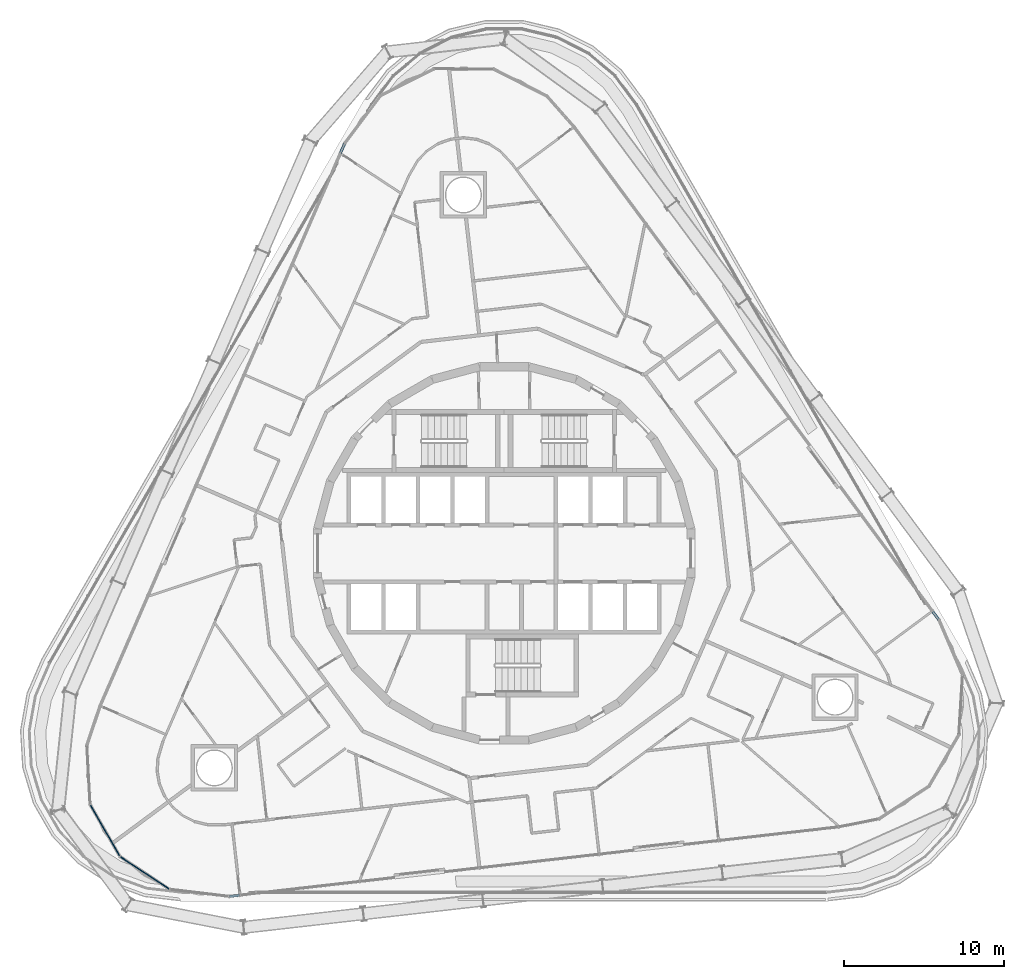
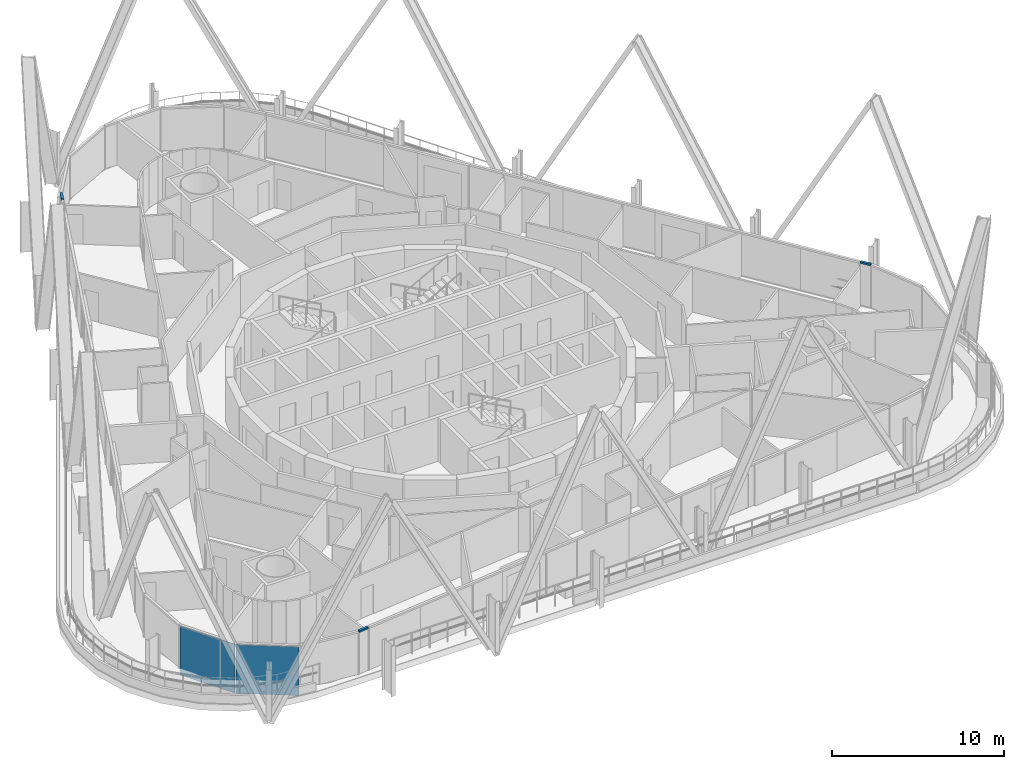
# One storey, part 12 of 32: 3 members, 2 plates, 3 elements without a shape of their own.
"""IFC4 building model written with IfcOpenShell, lengths in metres."""

from ifc_helpers import new_model, si_unit, direction, frame, origin, origin_2d, place, context, subcontext, project, spatial, rectangle, extrude, material, layer, layer_set, material_profile, profile_set, type_object, element, aggregate, save


model = new_model("IFC4")

# Units and contexts
model_context = context("Model", 3, precision=1e-05, world=origin(), true_north=direction((0.0, 1.0)))
body_context = subcontext(model_context, "Body", "Model", "MODEL_VIEW")
ifc_project = project(units=[si_unit("LENGTHUNIT", "METRE"), si_unit("AREAUNIT", "SQUARE_METRE"), si_unit("VOLUMEUNIT", "CUBIC_METRE"), si_unit("PLANEANGLEUNIT", "RADIAN"), si_unit("MASSUNIT", "GRAM", prefix="KILO")], contexts=[model_context])

# Site, building, storey
site_placement = place(None, origin())
site = spatial("IfcSite", under=ifc_project, at=site_placement, CompositionType="ELEMENT")
building_placement = place(site_placement, origin())
building = spatial("IfcBuilding", under=site, at=building_placement, Name="Spindle Arch Residences", CompositionType="ELEMENT")
storey_placement = place(building_placement, frame((0.0, 0.0, 76.699951171875)))
storey = spatial("IfcBuildingStorey", under=building, at=storey_placement, Name="L17", CompositionType="ELEMENT", Elevation=76.699951171875)

# Curtain wall, member
ifc_material_1 = material(Name="Aluminium bronze unitised frame with tinted glass", Category="aluminium")
ifc_layer_1 = layer(ifc_material_1, 0.159912109375)
ifc_layer_set_1 = layer_set([ifc_layer_1], Name="CW-D corner wall on the fillet arcs")
curtain_wall_type = type_object("IfcCurtainWallType", Name="CW-D corner wall on the fillet arcs", PredefinedType="NOTDEFINED", material=ifc_layer_set_1)
curtain_wall_1_placement = place(storey_placement, origin())
curtain_wall_1 = element("IfcCurtainWall", 1, at=curtain_wall_1_placement, inside=storey, type_object=curtain_wall_type, Name="CW-D L17 run 1", PredefinedType="NOTDEFINED")
ifc_material_2 = material(Name="Aluminium bronze anodised transom", Category="aluminium")
ifc_material_profile = material_profile(ifc_material_2, rectangle(XDim=0.159912109375, YDim=0.1201171875, at=origin_2d()), Name="TR 120x160")
ifc_profile_set = profile_set([ifc_material_profile], Name="Aluminium bronze anodised transom")
member_type = type_object("IfcMemberType", Name="Bronze transom 120x160", PredefinedType="USERDEFINED", material=ifc_profile_set)
member_1_placement = place(storey_placement, frame((27.125, -4.1474609375, 3.06005859375), z_axis=(-0.594872516249, 0.803820060344, 0.0), x_axis=(-0.803820060344, -0.594872516249, 0.0)))
member_1 = element("IfcMember", 2, at=member_1_placement, type_object=member_type, Name="CW-D transom 05", ObjectType="TRANSOM", PredefinedType="USERDEFINED", context=body_context, shape_type="SweptSolid", body=[
    extrude(rectangle(XDim=0.159912109375, YDim=0.1201171875, at=origin_2d()), origin(), (0.0, 0.0, 1.0), 0.641357421875),
])
aggregate(curtain_wall_1, [member_1])

curtain_wall_2_placement = place(storey_placement, origin())
curtain_wall_2 = element("IfcCurtainWall", 3, at=curtain_wall_2_placement, inside=storey, type_object=curtain_wall_type, Name="CW-D L17 run 3", PredefinedType="NOTDEFINED")
member_2_placement = place(storey_placement, frame((-9.970703125, 25.564697265625, 3.06005859375), z_axis=(-0.398461689222, -0.917184977102, 0.0), x_axis=(0.917184977102, -0.398461689222, 0.0)))
member_2 = element("IfcMember", 4, at=member_2_placement, type_object=member_type, Name="CW-D transom 05", ObjectType="TRANSOM", PredefinedType="USERDEFINED", context=body_context, shape_type="SweptSolid", body=[
    extrude(rectangle(XDim=0.159912109375, YDim=0.1201171875, at=origin_2d()), origin(), (0.0, 0.0, 1.0), 0.6416015625),
])
aggregate(curtain_wall_2, [member_2])

# Curtain wall, member, plates
curtain_wall_3_placement = place(storey_placement, origin())
curtain_wall_3 = element("IfcCurtainWall", 5, at=curtain_wall_3_placement, inside=storey, type_object=curtain_wall_type, Name="CW-D L17 run 5", PredefinedType="NOTDEFINED")
member_3_placement = place(storey_placement, frame((-17.154296875, -21.417236328125, 3.06005859375), z_axis=(0.993549832432, 0.113396342422, 0.0), x_axis=(-0.113396342422, 0.993549832432, 0.0)))
member_3 = element("IfcMember", 6, at=member_3_placement, type_object=member_type, Name="CW-D transom 05", ObjectType="TRANSOM", PredefinedType="USERDEFINED", context=body_context, shape_type="SweptSolid", body=[
    extrude(rectangle(XDim=0.159912109375, YDim=0.1201171875, at=origin_2d()), origin(), (0.0, 0.0, 1.0), 0.6416015625),
])
ifc_material_3 = material(Name="Tinted double glazing over aluminium faced non-combustible spandrel zone (K0)", Category="aluminium")
ifc_layer_2 = layer(ifc_material_3, 0.06005859375)
ifc_layer_set_2 = layer_set([ifc_layer_2], Name="Unitised glass panel with E 60 spandrel zone")
plate_type = type_object("IfcPlateType", Name="Unitised glass panel with E 60 spandrel zone", PredefinedType="CURTAIN_PANEL", material=ifc_layer_set_2)
plate_1_placement = place(storey_placement, frame((-24.919189453125, -17.3037109375, -0.44970703125), z_axis=(0.0, 0.0, 1.0), x_axis=(0.497478721595, -0.867476179247, 0.0)))
plate_1 = element("IfcPlate", 7, at=plate_1_placement, type_object=plate_type, Name="CW-D unit 02", PredefinedType="CURTAIN_PANEL", context=body_context, shape_type="SweptSolid", body=[
    extrude(rectangle(XDim=3.666748046875, YDim=0.06005859375, at=origin_2d()), origin(), (0.0, 0.0, 1.0), 3.449951171875),
])
plate_2_placement = place(storey_placement, frame((-22.438232421875, -19.94873046875, -0.44970703125), z_axis=(0.0, 0.0, 1.0), x_axis=(0.833885820352, -0.551936987903, 0.0)))
plate_2 = element("IfcPlate", 8, at=plate_2_placement, type_object=plate_type, Name="CW-D unit 03", PredefinedType="CURTAIN_PANEL", context=body_context, shape_type="SweptSolid", body=[
    extrude(rectangle(XDim=3.666748046875, YDim=0.06005859375, at=origin_2d()), origin(), (0.0, 0.0, 1.0), 3.449951171875),
])
aggregate(curtain_wall_3, [plate_1, plate_2, member_3])

save(model, "model.ifc")
